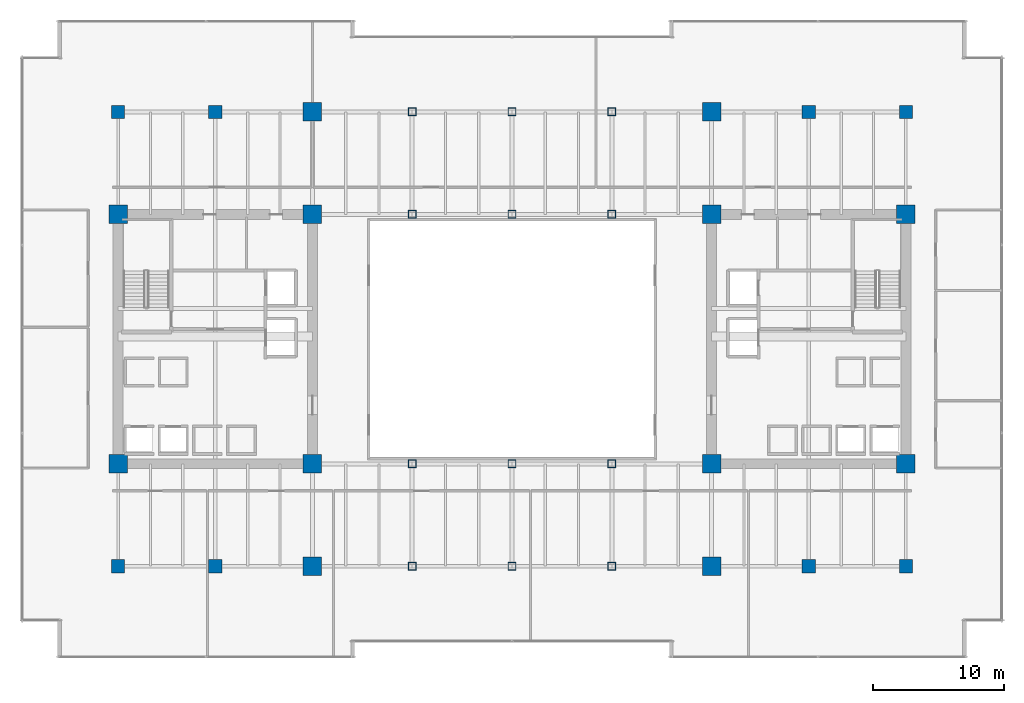
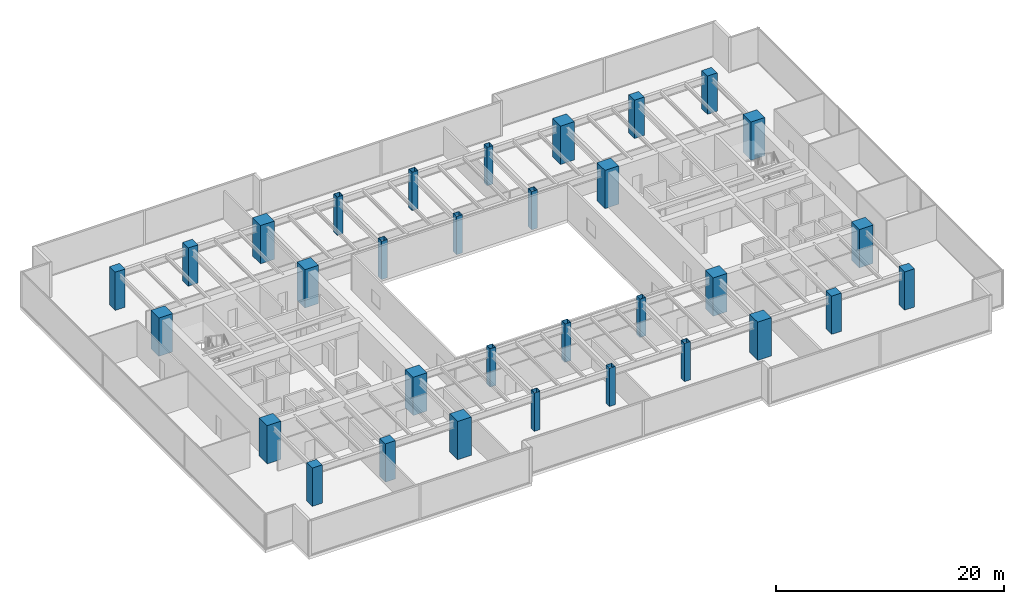
# One storey, part 1 of 35: 32 columns.
"""IFC4 building model written with IfcOpenShell, lengths in metres."""

from ifc_helpers import new_model, si_unit, direction, frame, origin, origin_2d, place, context, subcontext, project, spatial, rectangle, hollow_rectangle, extrude, source, transform, mapped, material, material_profile, profile_set, type_object, type_shapes, element, save


model = new_model("IFC4")

# Units and contexts
model_context = context("Model", 3, precision=1e-05, world=origin(), true_north=direction((0.0, 1.0)))
body_context = subcontext(model_context, "Body", "Model", "MODEL_VIEW")
ifc_project = project(units=[si_unit("LENGTHUNIT", "METRE"), si_unit("AREAUNIT", "SQUARE_METRE"), si_unit("VOLUMEUNIT", "CUBIC_METRE"), si_unit("PLANEANGLEUNIT", "RADIAN"), si_unit("MASSUNIT", "GRAM", prefix="KILO")], contexts=[model_context])

# Site, building, storey
site_placement = place(None, origin())
site = spatial("IfcSite", under=ifc_project, at=site_placement, CompositionType="ELEMENT")
building_placement = place(site_placement, origin())
building = spatial("IfcBuilding", under=site, at=building_placement, Name="Haelvirn Gate Laboratories", CompositionType="ELEMENT")
storey_placement = place(building_placement, frame((0.0, 0.0, 41.60009765625)))
storey = spatial("IfcBuildingStorey", under=building, at=storey_placement, Name="L10", CompositionType="ELEMENT", Elevation=41.60009765625)

# Columns
ifc_material_1 = material(Name="Concrete C60/75", Category="concrete")
ifc_material_profile_1 = material_profile(ifc_material_1, rectangle(XDim=1.0, YDim=1.0, at=origin_2d()), Name="RC-1000x1000")
ifc_profile_set_1 = profile_set([ifc_material_profile_1], Name="Concrete C60/75")
column_type_1 = type_object("IfcColumnType", Name="COL-RC-1000", PredefinedType="COLUMN", material=ifc_profile_set_1)
shared_shape_1 = source(origin(), body_context, "Body", "SweptSolid", [
    extrude(rectangle(XDim=1.0, YDim=1.0, at=origin_2d()), origin(), (0.0, 0.0, 1.0), 4.099853515625),
])
type_shapes(column_type_1, [shared_shape_1])
for number, where, z_axis, x_axis, name in (
    (1, (14.800048828125, 7.0, 0.0), (0.0, 0.0, 1.0), (1.0, 0.0, 0.0), "L10 Column 3B"),
    (2, (14.800048828125, 41.60009765625, 0.0), (0.0, 0.0, 1.0), (1.0, 0.0, 0.0), "L10 Column 3G"),
    (3, (60.0, 7.0, 0.0), (0.0, 0.0, 1.0), (1.0, 0.0, 0.0), "L10 Column 9B"),
    (4, (60.0, 41.60009765625, 0.0), (0.0, 0.0, 1.0), (1.0, 0.0, 0.0), "L10 Column 9G"),
    (5, (7.39990234375, 7.0, 0.0), (0.0, 0.0, 1.0), (1.0, 0.0, 0.0), "L10 Column 2B"),
    (6, (7.39990234375, 41.60009765625, 0.0), (0.0, 0.0, 1.0), (1.0, 0.0, 0.0), "L10 Column 2G"),
    (7, (67.39990234375, 7.0, 0.0), (0.0, 0.0, 1.0), (1.0, 0.0, 0.0), "L10 Column 10B"),
    (8, (67.39990234375, 41.60009765625, 0.0), (0.0, 0.0, 1.0), (1.0, 0.0, 0.0), "L10 Column 10G"),
):
    element("IfcColumn", number, at=place(storey_placement, frame(where, z_axis=z_axis, x_axis=x_axis)), inside=storey, type_object=column_type_1, Name=name, PredefinedType="COLUMN", context=body_context, shape_type="MappedRepresentation", body=[
        mapped(shared_shape_1, transform((0.0, 0.0, 0.0), scale=1.0)),
    ])
ifc_material_2 = material(Name="Concrete C70/85", Category="concrete")
ifc_material_profile_2 = material_profile(ifc_material_2, rectangle(XDim=1.39990234375, YDim=1.39990234375, at=origin_2d()), Name="SRC-1400x1400")
ifc_profile_set_2 = profile_set([ifc_material_profile_2], Name="Concrete C70/85")
column_type_2 = type_object("IfcColumnType", Name="COL-SRC-1400", PredefinedType="COLUMN", material=ifc_profile_set_2)
shared_shape_2 = source(origin(), body_context, "Body", "SweptSolid", [
    extrude(rectangle(XDim=1.39990234375, YDim=1.39990234375, at=origin_2d()), origin(), (0.0, 0.0, 1.0), 4.099853515625),
])
type_shapes(column_type_2, [shared_shape_2])
for number, where, z_axis, x_axis, name in (
    (9, (22.199951171875, 7.0, 0.0), (0.0, 0.0, 1.0), (1.0, 0.0, 0.0), "L10 Column 4B"),
    (10, (7.39990234375, 14.800048828125, 0.0), (0.0, 0.0, 1.0), (1.0, 0.0, 0.0), "L10 Column 2C"),
    (11, (22.199951171875, 14.800048828125, 0.0), (0.0, 0.0, 1.0), (1.0, 0.0, 0.0), "L10 Column 4C"),
    (12, (7.39990234375, 33.800048828125, 0.0), (0.0, 0.0, 1.0), (1.0, 0.0, 0.0), "L10 Column 2F"),
    (13, (22.199951171875, 33.800048828125, 0.0), (0.0, 0.0, 1.0), (1.0, 0.0, 0.0), "L10 Column 4F"),
    (14, (22.199951171875, 41.60009765625, 0.0), (0.0, 0.0, 1.0), (1.0, 0.0, 0.0), "L10 Column 4G"),
    (15, (52.60009765625, 7.0, 0.0), (0.0, 0.0, 1.0), (1.0, 0.0, 0.0), "L10 Column 8B"),
    (16, (52.60009765625, 14.800048828125, 0.0), (0.0, 0.0, 1.0), (1.0, 0.0, 0.0), "L10 Column 8C"),
    (17, (67.39990234375, 14.800048828125, 0.0), (0.0, 0.0, 1.0), (1.0, 0.0, 0.0), "L10 Column 10C"),
    (18, (52.60009765625, 33.800048828125, 0.0), (0.0, 0.0, 1.0), (1.0, 0.0, 0.0), "L10 Column 8F"),
    (19, (67.39990234375, 33.800048828125, 0.0), (0.0, 0.0, 1.0), (1.0, 0.0, 0.0), "L10 Column 10F"),
    (20, (52.60009765625, 41.60009765625, 0.0), (0.0, 0.0, 1.0), (1.0, 0.0, 0.0), "L10 Column 8G"),
):
    element("IfcColumn", number, at=place(storey_placement, frame(where, z_axis=z_axis, x_axis=x_axis)), inside=storey, type_object=column_type_2, Name=name, PredefinedType="COLUMN", context=body_context, shape_type="MappedRepresentation", body=[
        mapped(shared_shape_2, transform((0.0, 0.0, 0.0), scale=1.0)),
    ])
ifc_material_3 = material(Name="Steel SM420", Category="steel")
ifc_material_profile_3 = material_profile(ifc_material_3, hollow_rectangle(XDim=0.60009765625, YDim=0.60009765625, WallThickness=0.028076171875, at=origin_2d()), Name="BOX-600x600x28")
ifc_profile_set_3 = profile_set([ifc_material_profile_3], Name="Steel SM420")
column_type_3 = type_object("IfcColumnType", Name="COL-BOX-600", PredefinedType="COLUMN", material=ifc_profile_set_3)
shared_shape_3 = source(origin(), body_context, "Body", "SweptSolid", [
    extrude(hollow_rectangle(XDim=0.60009765625, YDim=0.60009765625, WallThickness=0.028076171875, at=origin_2d()), origin(), (0.0, 0.0, 1.0), 4.099853515625),
])
type_shapes(column_type_3, [shared_shape_3])
for number, where, z_axis, x_axis, name in (
    (21, (29.800048828125, 7.0, 0.0), (0.0, 0.0, 1.0), (1.0, 0.0, 0.0), "L10 Column 5B"),
    (22, (29.800048828125, 14.800048828125, 0.0), (0.0, 0.0, 1.0), (1.0, 0.0, 0.0), "L10 Column 5C"),
    (23, (29.800048828125, 33.800048828125, 0.0), (0.0, 0.0, 1.0), (1.0, 0.0, 0.0), "L10 Column 5F"),
    (24, (29.800048828125, 41.60009765625, 0.0), (0.0, 0.0, 1.0), (1.0, 0.0, 0.0), "L10 Column 5G"),
    (25, (37.39990234375, 7.0, 0.0), (0.0, 0.0, 1.0), (1.0, 0.0, 0.0), "L10 Column 6B"),
    (26, (37.39990234375, 14.800048828125, 0.0), (0.0, 0.0, 1.0), (1.0, 0.0, 0.0), "L10 Column 6C"),
    (27, (37.39990234375, 33.800048828125, 0.0), (0.0, 0.0, 1.0), (1.0, 0.0, 0.0), "L10 Column 6F"),
    (28, (37.39990234375, 41.60009765625, 0.0), (0.0, 0.0, 1.0), (1.0, 0.0, 0.0), "L10 Column 6G"),
    (29, (45.0, 7.0, 0.0), (0.0, 0.0, 1.0), (1.0, 0.0, 0.0), "L10 Column 7B"),
    (30, (45.0, 14.800048828125, 0.0), (0.0, 0.0, 1.0), (1.0, 0.0, 0.0), "L10 Column 7C"),
    (31, (45.0, 33.800048828125, 0.0), (0.0, 0.0, 1.0), (1.0, 0.0, 0.0), "L10 Column 7F"),
    (32, (45.0, 41.60009765625, 0.0), (0.0, 0.0, 1.0), (1.0, 0.0, 0.0), "L10 Column 7G"),
):
    element("IfcColumn", number, at=place(storey_placement, frame(where, z_axis=z_axis, x_axis=x_axis)), inside=storey, type_object=column_type_3, Name=name, PredefinedType="COLUMN", context=body_context, shape_type="MappedRepresentation", body=[
        mapped(shared_shape_3, transform((0.0, 0.0, 0.0), scale=1.0)),
    ])

save(model, "model.ifc")
